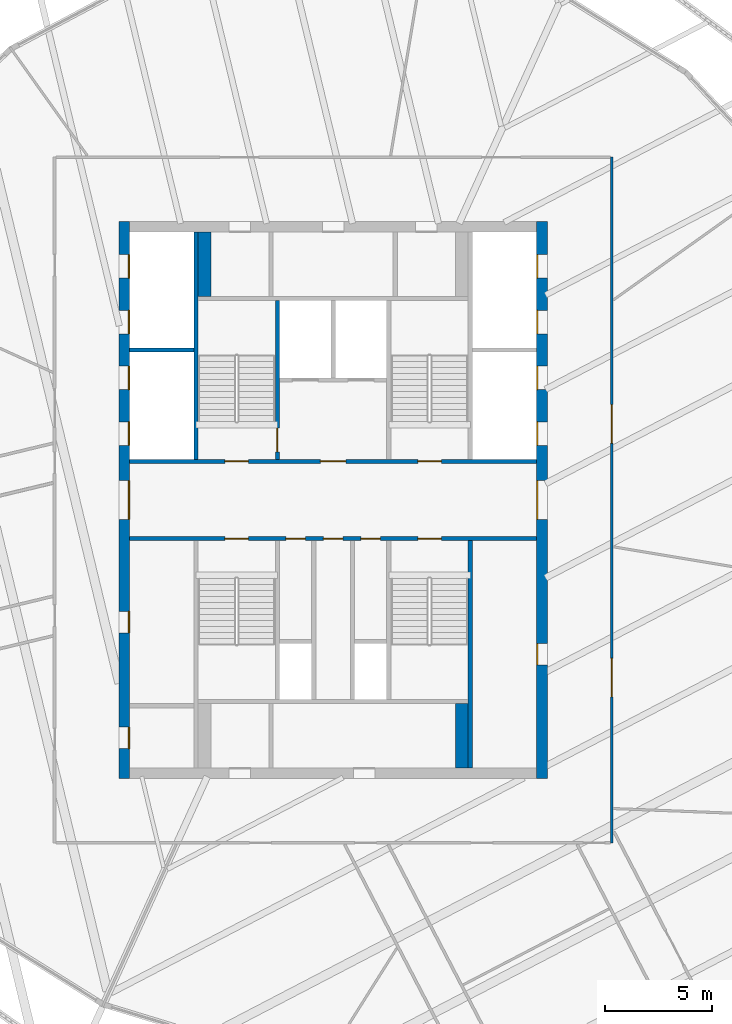
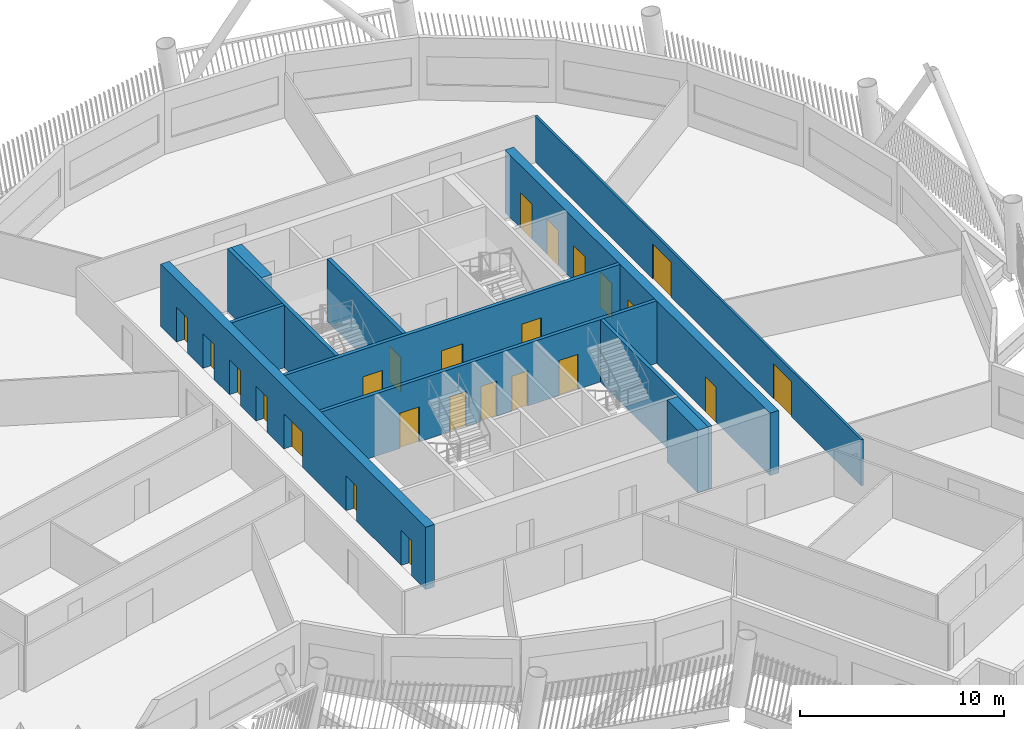
# One storey, part 5 of 22: 24 doors, 11 walls, 24 openings.
"""IFC4 building model written with IfcOpenShell, lengths in metres."""

from ifc_helpers import new_model, si_unit, direction, frame, frame_2d, origin, place, context, subcontext, project, spatial, rectangle, extrude, material, layer, layer_set, type_object, element, fill, save


model = new_model("IFC4")

# Units and contexts
model_context = context("Model", 3, precision=1e-05, world=origin(), true_north=direction((0.0, 1.0)))
body_context = subcontext(model_context, "Body", "Model", "MODEL_VIEW")
ifc_project = project(units=[si_unit("LENGTHUNIT", "METRE"), si_unit("AREAUNIT", "SQUARE_METRE"), si_unit("VOLUMEUNIT", "CUBIC_METRE"), si_unit("PLANEANGLEUNIT", "RADIAN"), si_unit("MASSUNIT", "GRAM", prefix="KILO")], contexts=[model_context])

# Site, building, storey
site_placement = place(None, origin())
site = spatial("IfcSite", under=ifc_project, at=site_placement, CompositionType="ELEMENT")
building_placement = place(site_placement, origin())
building = spatial("IfcBuilding", under=site, at=building_placement, Name="Tarsis Ring Headquarters", CompositionType="ELEMENT")
storey_placement = place(building_placement, frame((0.0, 0.0, 339.199951171875)))
storey = spatial("IfcBuildingStorey", under=building, at=storey_placement, Name="L80", CompositionType="ELEMENT", Elevation=339.199951171875)

# Wall, openings, doors
ifc_material_1 = material(Name="Concrete C50/60", Category="concrete")
ifc_layer_1 = layer(ifc_material_1, 0.5)
ifc_layer_set_1 = layer_set([ifc_layer_1], Name="Core wall 500 C50/60")
wall_type_1 = type_object("IfcWallType", Name="Core wall 500 C50/60", PredefinedType="SHEAR", material=ifc_layer_set_1)
wall_1_placement = place(storey_placement, frame((-9.75, -13.0, 0.0), z_axis=(0.0, 0.0, 1.0), x_axis=(0.0, 1.0, 0.0)))
wall_1 = element("IfcWall", 1, at=wall_1_placement, inside=storey, type_object=wall_type_1, Name="Core wall OW", PredefinedType="SHEAR", context=body_context, shape_type="SweptSolid", body=[
    extrude(rectangle(XDim=26.0, YDim=0.5, at=frame_2d((13.0, 0.0))), origin(), (0.0, 0.0, 1.0), 3.739990234375),
])
opening_1_placement = place(wall_1_placement, frame((1.39990234375, 0.0, 0.0)))
opening_1 = element("IfcOpeningElement", 2, at=opening_1_placement, cuts=wall_1, Name="Opening L80-C01", PredefinedType="OPENING", context=body_context, shape_type="SweptSolid", body=[
    extrude(rectangle(XDim=1.0, YDim=2.10009765625, at=frame_2d((0.5, 1.050048828125))), frame((0.0, 0.260009765625, 0.0), z_axis=(0.0, -1.0, 0.0), x_axis=(1.0, 0.0, 0.0)), (0.0, 0.0, 1.0), 0.52001953125),
])
opening_2_placement = place(wall_1_placement, frame((6.800048828125, 0.0, 0.0)))
opening_2 = element("IfcOpeningElement", 3, at=opening_2_placement, cuts=wall_1, Name="Opening L80-C02", PredefinedType="OPENING", context=body_context, shape_type="SweptSolid", body=[
    extrude(rectangle(XDim=1.0, YDim=2.10009765625, at=frame_2d((0.5, 1.050048828125))), frame((0.0, 0.260009765625, 0.0), z_axis=(0.0, -1.0, 0.0), x_axis=(1.0, 0.0, 0.0)), (0.0, 0.0, 1.0), 0.52001953125),
])
opening_3_placement = place(wall_1_placement, frame((12.10009765625, 0.0, 0.0)))
opening_3 = element("IfcOpeningElement", 4, at=opening_3_placement, cuts=wall_1, Name="Opening L80-C03", PredefinedType="OPENING", context=body_context, shape_type="SweptSolid", body=[
    extrude(rectangle(XDim=1.800048828125, YDim=2.10009765625, at=frame_2d((0.89990234375, 1.050048828125))), frame((0.0, 0.260009765625, 0.0), z_axis=(0.0, -1.0, 0.0), x_axis=(1.0, 0.0, 0.0)), (0.0, 0.0, 1.0), 0.52001953125),
])
opening_4_placement = place(wall_1_placement, frame((15.550048828125, 0.0, 0.0)))
opening_4 = element("IfcOpeningElement", 5, at=opening_4_placement, cuts=wall_1, Name="Opening LD-HR1", PredefinedType="OPENING", context=body_context, shape_type="SweptSolid", body=[
    extrude(rectangle(XDim=1.10009765625, YDim=2.10009765625, at=frame_2d((0.550048828125, 1.050048828125))), frame((0.0, 0.260009765625, 0.0), z_axis=(0.0, -1.0, 0.0), x_axis=(1.0, 0.0, 0.0)), (0.0, 0.0, 1.0), 0.52001953125),
])
opening_5_placement = place(wall_1_placement, frame((18.14990234375, 0.0, 0.0)))
opening_5 = element("IfcOpeningElement", 6, at=opening_5_placement, cuts=wall_1, Name="Opening LD-HR2", PredefinedType="OPENING", context=body_context, shape_type="SweptSolid", body=[
    extrude(rectangle(XDim=1.10009765625, YDim=2.10009765625, at=frame_2d((0.550048828125, 1.050048828125))), frame((0.0, 0.260009765625, 0.0), z_axis=(0.0, -1.0, 0.0), x_axis=(1.0, 0.0, 0.0)), (0.0, 0.0, 1.0), 0.52001953125),
])
opening_6_placement = place(wall_1_placement, frame((20.75, 0.0, 0.0)))
opening_6 = element("IfcOpeningElement", 7, at=opening_6_placement, cuts=wall_1, Name="Opening LD-HR3", PredefinedType="OPENING", context=body_context, shape_type="SweptSolid", body=[
    extrude(rectangle(XDim=1.10009765625, YDim=2.10009765625, at=frame_2d((0.550048828125, 1.050048828125))), frame((0.0, 0.260009765625, 0.0), z_axis=(0.0, -1.0, 0.0), x_axis=(1.0, 0.0, 0.0)), (0.0, 0.0, 1.0), 0.52001953125),
])
opening_7_placement = place(wall_1_placement, frame((23.35009765625, 0.0, 0.0)))
opening_7 = element("IfcOpeningElement", 8, at=opening_7_placement, cuts=wall_1, Name="Opening LD-HR4", PredefinedType="OPENING", context=body_context, shape_type="SweptSolid", body=[
    extrude(rectangle(XDim=1.10009765625, YDim=2.10009765625, at=frame_2d((0.550048828125, 1.050048828125))), frame((0.0, 0.260009765625, 0.0), z_axis=(0.0, -1.0, 0.0), x_axis=(1.0, 0.0, 0.0)), (0.0, 0.0, 1.0), 0.52001953125),
])
ifc_material_2 = material(Name="Steel S355", Category="steel")
door_type_1 = type_object("IfcDoorType", Name="Core entry door 1800x2100", OperationType="DOUBLE_DOOR_SINGLE_SWING", PredefinedType="DOOR", material=ifc_material_2)
door_1_placement = place(opening_3_placement, origin())
door_1 = element("IfcDoor", 9, at=door_1_placement, inside=storey, type_object=door_type_1, Name="Core entry door L80", OperationType="DOUBLE_DOOR_SINGLE_SWING", OverallHeight=2.10009765625, OverallWidth=1.800048828125, PredefinedType="DOOR", context=body_context, shape_type="SweptSolid", body=[
    extrude(rectangle(XDim=1.800048828125, YDim=2.10009765625, at=frame_2d((0.89990234375, 1.050048828125))), frame((0.0, -0.2001953125, 0.0), z_axis=(0.0, -1.0, 0.0), x_axis=(1.0, 0.0, 0.0)), (0.0, 0.0, 1.0), 0.050048828125),
])
fill(opening_3, door_1)
door_type_2 = type_object("IfcDoorType", Name="Core room door 1000x2100", OperationType="SINGLE_SWING_LEFT", PredefinedType="DOOR", material=ifc_material_2)
door_2_placement = place(opening_1_placement, origin())
door_2 = element("IfcDoor", 10, at=door_2_placement, inside=storey, type_object=door_type_2, Name="Core room door L80", OperationType="SINGLE_SWING_LEFT", OverallHeight=2.10009765625, OverallWidth=1.0, PredefinedType="DOOR", context=body_context, shape_type="SweptSolid", body=[
    extrude(rectangle(XDim=1.0, YDim=2.10009765625, at=frame_2d((0.5, 1.050048828125))), frame((0.0, -0.2001953125, 0.0), z_axis=(0.0, -1.0, 0.0), x_axis=(1.0, 0.0, 0.0)), (0.0, 0.0, 1.0), 0.050048828125),
])
fill(opening_1, door_2)
door_3_placement = place(opening_2_placement, origin())
door_3 = element("IfcDoor", 11, at=door_3_placement, inside=storey, type_object=door_type_2, Name="Core room door L80", OperationType="SINGLE_SWING_LEFT", OverallHeight=2.10009765625, OverallWidth=1.0, PredefinedType="DOOR", context=body_context, shape_type="SweptSolid", body=[
    extrude(rectangle(XDim=1.0, YDim=2.10009765625, at=frame_2d((0.5, 1.050048828125))), frame((0.0, -0.2001953125, 0.0), z_axis=(0.0, -1.0, 0.0), x_axis=(1.0, 0.0, 0.0)), (0.0, 0.0, 1.0), 0.050048828125),
])
fill(opening_2, door_3)
door_type_3 = type_object("IfcDoorType", Name="Landing door 1100x2100", OperationType="SLIDING_TO_LEFT", PredefinedType="DOOR", material=ifc_material_2)
door_4_placement = place(opening_4_placement, origin())
door_4 = element("IfcDoor", 12, at=door_4_placement, inside=storey, type_object=door_type_3, Name="Landing door HR1 L80", OperationType="SLIDING_TO_LEFT", OverallHeight=2.10009765625, OverallWidth=1.10009765625, PredefinedType="DOOR", context=body_context, shape_type="SweptSolid", body=[
    extrude(rectangle(XDim=1.10009765625, YDim=2.10009765625, at=frame_2d((0.550048828125, 1.050048828125))), frame((0.0, -0.2001953125, 0.0), z_axis=(0.0, -1.0, 0.0), x_axis=(1.0, 0.0, 0.0)), (0.0, 0.0, 1.0), 0.050048828125),
])
fill(opening_4, door_4)
door_5_placement = place(opening_5_placement, origin())
door_5 = element("IfcDoor", 13, at=door_5_placement, inside=storey, type_object=door_type_3, Name="Landing door HR2 L80", OperationType="SLIDING_TO_LEFT", OverallHeight=2.10009765625, OverallWidth=1.10009765625, PredefinedType="DOOR", context=body_context, shape_type="SweptSolid", body=[
    extrude(rectangle(XDim=1.10009765625, YDim=2.10009765625, at=frame_2d((0.550048828125, 1.050048828125))), frame((0.0, -0.2001953125, 0.0), z_axis=(0.0, -1.0, 0.0), x_axis=(1.0, 0.0, 0.0)), (0.0, 0.0, 1.0), 0.050048828125),
])
fill(opening_5, door_5)
door_6_placement = place(opening_6_placement, origin())
door_6 = element("IfcDoor", 14, at=door_6_placement, inside=storey, type_object=door_type_3, Name="Landing door HR3 L80", OperationType="SLIDING_TO_LEFT", OverallHeight=2.10009765625, OverallWidth=1.10009765625, PredefinedType="DOOR", context=body_context, shape_type="SweptSolid", body=[
    extrude(rectangle(XDim=1.10009765625, YDim=2.10009765625, at=frame_2d((0.550048828125, 1.050048828125))), frame((0.0, -0.2001953125, 0.0), z_axis=(0.0, -1.0, 0.0), x_axis=(1.0, 0.0, 0.0)), (0.0, 0.0, 1.0), 0.050048828125),
])
fill(opening_6, door_6)
door_7_placement = place(opening_7_placement, origin())
door_7 = element("IfcDoor", 15, at=door_7_placement, inside=storey, type_object=door_type_3, Name="Landing door HR4 L80", OperationType="SLIDING_TO_LEFT", OverallHeight=2.10009765625, OverallWidth=1.10009765625, PredefinedType="DOOR", context=body_context, shape_type="SweptSolid", body=[
    extrude(rectangle(XDim=1.10009765625, YDim=2.10009765625, at=frame_2d((0.550048828125, 1.050048828125))), frame((0.0, -0.2001953125, 0.0), z_axis=(0.0, -1.0, 0.0), x_axis=(1.0, 0.0, 0.0)), (0.0, 0.0, 1.0), 0.050048828125),
])
fill(opening_7, door_7)

wall_2_placement = place(storey_placement, frame((9.75, -13.0, 0.0), z_axis=(0.0, 0.0, 1.0), x_axis=(0.0, 1.0, 0.0)))
wall_2 = element("IfcWall", 16, at=wall_2_placement, inside=storey, type_object=wall_type_1, Name="Core wall OE", PredefinedType="SHEAR", context=body_context, shape_type="SweptSolid", body=[
    extrude(rectangle(XDim=26.0, YDim=0.5, at=frame_2d((13.0, 0.0))), origin(), (0.0, 0.0, 1.0), 3.739990234375),
])
opening_8_placement = place(wall_2_placement, frame((5.300048828125, 0.0, 0.0)))
opening_8 = element("IfcOpeningElement", 17, at=opening_8_placement, cuts=wall_2, Name="Opening L80-C08", PredefinedType="OPENING", context=body_context, shape_type="SweptSolid", body=[
    extrude(rectangle(XDim=1.0, YDim=2.10009765625, at=frame_2d((0.5, 1.050048828125))), frame((0.0, 0.260009765625, 0.0), z_axis=(0.0, -1.0, 0.0), x_axis=(1.0, 0.0, 0.0)), (0.0, 0.0, 1.0), 0.52001953125),
])
opening_9_placement = place(wall_2_placement, frame((12.10009765625, 0.0, 0.0)))
opening_9 = element("IfcOpeningElement", 18, at=opening_9_placement, cuts=wall_2, Name="Opening L80-C09", PredefinedType="OPENING", context=body_context, shape_type="SweptSolid", body=[
    extrude(rectangle(XDim=1.800048828125, YDim=2.10009765625, at=frame_2d((0.89990234375, 1.050048828125))), frame((0.0, 0.260009765625, 0.0), z_axis=(0.0, -1.0, 0.0), x_axis=(1.0, 0.0, 0.0)), (0.0, 0.0, 1.0), 0.52001953125),
])
opening_10_placement = place(wall_2_placement, frame((15.550048828125, 0.0, 0.0)))
opening_10 = element("IfcOpeningElement", 19, at=opening_10_placement, cuts=wall_2, Name="Opening LD-HR5", PredefinedType="OPENING", context=body_context, shape_type="SweptSolid", body=[
    extrude(rectangle(XDim=1.10009765625, YDim=2.10009765625, at=frame_2d((0.550048828125, 1.050048828125))), frame((0.0, 0.260009765625, 0.0), z_axis=(0.0, -1.0, 0.0), x_axis=(1.0, 0.0, 0.0)), (0.0, 0.0, 1.0), 0.52001953125),
])
opening_11_placement = place(wall_2_placement, frame((18.14990234375, 0.0, 0.0)))
opening_11 = element("IfcOpeningElement", 20, at=opening_11_placement, cuts=wall_2, Name="Opening LD-HR6", PredefinedType="OPENING", context=body_context, shape_type="SweptSolid", body=[
    extrude(rectangle(XDim=1.10009765625, YDim=2.10009765625, at=frame_2d((0.550048828125, 1.050048828125))), frame((0.0, 0.260009765625, 0.0), z_axis=(0.0, -1.0, 0.0), x_axis=(1.0, 0.0, 0.0)), (0.0, 0.0, 1.0), 0.52001953125),
])
opening_12_placement = place(wall_2_placement, frame((20.75, 0.0, 0.0)))
opening_12 = element("IfcOpeningElement", 21, at=opening_12_placement, cuts=wall_2, Name="Opening LD-HR7", PredefinedType="OPENING", context=body_context, shape_type="SweptSolid", body=[
    extrude(rectangle(XDim=1.10009765625, YDim=2.10009765625, at=frame_2d((0.550048828125, 1.050048828125))), frame((0.0, 0.260009765625, 0.0), z_axis=(0.0, -1.0, 0.0), x_axis=(1.0, 0.0, 0.0)), (0.0, 0.0, 1.0), 0.52001953125),
])
opening_13_placement = place(wall_2_placement, frame((23.35009765625, 0.0, 0.0)))
opening_13 = element("IfcOpeningElement", 22, at=opening_13_placement, cuts=wall_2, Name="Opening LD-HR8", PredefinedType="OPENING", context=body_context, shape_type="SweptSolid", body=[
    extrude(rectangle(XDim=1.10009765625, YDim=2.10009765625, at=frame_2d((0.550048828125, 1.050048828125))), frame((0.0, 0.260009765625, 0.0), z_axis=(0.0, -1.0, 0.0), x_axis=(1.0, 0.0, 0.0)), (0.0, 0.0, 1.0), 0.52001953125),
])
door_8_placement = place(opening_9_placement, origin())
door_8 = element("IfcDoor", 23, at=door_8_placement, inside=storey, type_object=door_type_1, Name="Core entry door L80", OperationType="DOUBLE_DOOR_SINGLE_SWING", OverallHeight=2.10009765625, OverallWidth=1.800048828125, PredefinedType="DOOR", context=body_context, shape_type="SweptSolid", body=[
    extrude(rectangle(XDim=1.800048828125, YDim=2.10009765625, at=frame_2d((0.89990234375, 1.050048828125))), frame((0.0, 0.25, 0.0), z_axis=(0.0, -1.0, 0.0), x_axis=(1.0, 0.0, 0.0)), (0.0, 0.0, 1.0), 0.050048828125),
])
fill(opening_9, door_8)
door_9_placement = place(opening_8_placement, origin())
door_9 = element("IfcDoor", 24, at=door_9_placement, inside=storey, type_object=door_type_2, Name="Core room door L80", OperationType="SINGLE_SWING_LEFT", OverallHeight=2.10009765625, OverallWidth=1.0, PredefinedType="DOOR", context=body_context, shape_type="SweptSolid", body=[
    extrude(rectangle(XDim=1.0, YDim=2.10009765625, at=frame_2d((0.5, 1.050048828125))), frame((0.0, 0.25, 0.0), z_axis=(0.0, -1.0, 0.0), x_axis=(1.0, 0.0, 0.0)), (0.0, 0.0, 1.0), 0.050048828125),
])
fill(opening_8, door_9)
door_10_placement = place(opening_10_placement, origin())
door_10 = element("IfcDoor", 25, at=door_10_placement, inside=storey, type_object=door_type_3, Name="Landing door HR5 L80", OperationType="SLIDING_TO_LEFT", OverallHeight=2.10009765625, OverallWidth=1.10009765625, PredefinedType="DOOR", context=body_context, shape_type="SweptSolid", body=[
    extrude(rectangle(XDim=1.10009765625, YDim=2.10009765625, at=frame_2d((0.550048828125, 1.050048828125))), frame((0.0, 0.25, 0.0), z_axis=(0.0, -1.0, 0.0), x_axis=(1.0, 0.0, 0.0)), (0.0, 0.0, 1.0), 0.050048828125),
])
fill(opening_10, door_10)
door_11_placement = place(opening_11_placement, origin())
door_11 = element("IfcDoor", 26, at=door_11_placement, inside=storey, type_object=door_type_3, Name="Landing door HR6 L80", OperationType="SLIDING_TO_LEFT", OverallHeight=2.10009765625, OverallWidth=1.10009765625, PredefinedType="DOOR", context=body_context, shape_type="SweptSolid", body=[
    extrude(rectangle(XDim=1.10009765625, YDim=2.10009765625, at=frame_2d((0.550048828125, 1.050048828125))), frame((0.0, 0.25, 0.0), z_axis=(0.0, -1.0, 0.0), x_axis=(1.0, 0.0, 0.0)), (0.0, 0.0, 1.0), 0.050048828125),
])
fill(opening_11, door_11)
door_12_placement = place(opening_12_placement, origin())
door_12 = element("IfcDoor", 27, at=door_12_placement, inside=storey, type_object=door_type_3, Name="Landing door HR7 L80", OperationType="SLIDING_TO_LEFT", OverallHeight=2.10009765625, OverallWidth=1.10009765625, PredefinedType="DOOR", context=body_context, shape_type="SweptSolid", body=[
    extrude(rectangle(XDim=1.10009765625, YDim=2.10009765625, at=frame_2d((0.550048828125, 1.050048828125))), frame((0.0, 0.25, 0.0), z_axis=(0.0, -1.0, 0.0), x_axis=(1.0, 0.0, 0.0)), (0.0, 0.0, 1.0), 0.050048828125),
])
fill(opening_12, door_12)
door_13_placement = place(opening_13_placement, origin())
door_13 = element("IfcDoor", 28, at=door_13_placement, inside=storey, type_object=door_type_3, Name="Landing door HR8 L80", OperationType="SLIDING_TO_LEFT", OverallHeight=2.10009765625, OverallWidth=1.10009765625, PredefinedType="DOOR", context=body_context, shape_type="SweptSolid", body=[
    extrude(rectangle(XDim=1.10009765625, YDim=2.10009765625, at=frame_2d((0.550048828125, 1.050048828125))), frame((0.0, 0.25, 0.0), z_axis=(0.0, -1.0, 0.0), x_axis=(1.0, 0.0, 0.0)), (0.0, 0.0, 1.0), 0.050048828125),
])
fill(opening_13, door_13)

ifc_material_3 = material(Name="Gypsum board on steel studs", Category="steel")
ifc_layer_2 = layer(ifc_material_3, 0.125)
ifc_layer_set_2 = layer_set([ifc_layer_2], Name="FL partition 125 EI 60 H2770")
wall_type_2 = type_object("IfcWallType", Name="FL partition 125 EI 60 H2770", PredefinedType="PARTITIONING", material=ifc_layer_set_2)
wall_3_placement = place(storey_placement, frame((13.0, -16.0, 0.0), z_axis=(0.0, 0.0, 1.0), x_axis=(0.0, 1.0, 0.0)))
wall_3 = element("IfcWall", 29, at=wall_3_placement, inside=storey, type_object=wall_type_2, Name="Partition PW1", PredefinedType="PARTITIONING", context=body_context, shape_type="SweptSolid", body=[
    extrude(rectangle(XDim=32.0, YDim=0.125, at=frame_2d((16.0, 0.0))), origin(), (0.0, 0.0, 1.0), 2.77001953125),
])
opening_14_placement = place(wall_3_placement, frame((18.654296875, 0.0, 0.0)))
opening_14 = element("IfcOpeningElement", 30, at=opening_14_placement, cuts=wall_3, Name="Opening D80.07", PredefinedType="OPENING", context=body_context, shape_type="SweptSolid", body=[
    extrude(rectangle(XDim=1.800048828125, YDim=2.10009765625, at=frame_2d((0.89990234375, 1.050048828125))), frame((0.0, 0.072509765625, 0.0), z_axis=(0.0, -1.0, 0.0), x_axis=(1.0, 0.0, 0.0)), (0.0, 0.0, 1.0), 0.14501953125),
])
opening_15_placement = place(wall_3_placement, frame((6.81494140625, 0.0, 0.0)))
opening_15 = element("IfcOpeningElement", 31, at=opening_15_placement, cuts=wall_3, Name="Opening D80.08", PredefinedType="OPENING", context=body_context, shape_type="SweptSolid", body=[
    extrude(rectangle(XDim=1.800048828125, YDim=2.10009765625, at=frame_2d((0.89990234375, 1.050048828125))), frame((0.0, 0.072509765625, 0.0), z_axis=(0.0, -1.0, 0.0), x_axis=(1.0, 0.0, 0.0)), (0.0, 0.0, 1.0), 0.14501953125),
])
ifc_material_4 = material(Name="Fire-rated timber door leaf in steel frame", Category="steel")
door_type_4 = type_object("IfcDoorType", Name="FL door FD60-1800", OperationType="DOUBLE_DOOR_SINGLE_SWING", PredefinedType="DOOR", material=ifc_material_4)
door_14_placement = place(opening_14_placement, origin())
door_14 = element("IfcDoor", 32, at=door_14_placement, inside=storey, type_object=door_type_4, Name="Door D80.07", OperationType="DOUBLE_DOOR_SINGLE_SWING", OverallHeight=2.10009765625, OverallWidth=1.800048828125, PredefinedType="DOOR", context=body_context, shape_type="SweptSolid", body=[
    extrude(rectangle(XDim=1.800048828125, YDim=2.10009765625, at=frame_2d((0.89990234375, 1.050048828125))), frame((0.0, 0.02490234375, 0.0), z_axis=(0.0, -1.0, 0.0), x_axis=(1.0, 0.0, 0.0)), (0.0, 0.0, 1.0), 0.050048828125),
])
fill(opening_14, door_14)
door_15_placement = place(opening_15_placement, origin())
door_15 = element("IfcDoor", 33, at=door_15_placement, inside=storey, type_object=door_type_4, Name="Door D80.08", OperationType="DOUBLE_DOOR_SINGLE_SWING", OverallHeight=2.10009765625, OverallWidth=1.800048828125, PredefinedType="DOOR", context=body_context, shape_type="SweptSolid", body=[
    extrude(rectangle(XDim=1.800048828125, YDim=2.10009765625, at=frame_2d((0.89990234375, 1.050048828125))), frame((0.0, 0.02490234375, 0.0), z_axis=(0.0, -1.0, 0.0), x_axis=(1.0, 0.0, 0.0)), (0.0, 0.0, 1.0), 0.050048828125),
])
fill(opening_15, door_15)

# Walls
ifc_material_5 = material(Name="Concrete C32/40", Category="concrete")
ifc_layer_3 = layer(ifc_material_5, 0.60009765625)
ifc_layer_set_3 = layer_set([ifc_layer_3], Name="Shaft end wall 600 C32/40")
wall_type_3 = type_object("IfcWallType", Name="Shaft end wall 600 C32/40", PredefinedType="SOLIDWALL", material=ifc_layer_set_3)
for number, where, z_axis, x_axis, name in (
    (34, (-6.0, 9.5, 0.0), (0.0, 0.0, 1.0), (0.0, 1.0, 0.0), "Core shaft wall NNE1"),
    (35, (6.0, -12.5, 0.0), (0.0, 0.0, 1.0), (0.0, 1.0, 0.0), "Core shaft wall SNE2"),
):
    element("IfcWall", number, at=place(storey_placement, frame(where, z_axis=z_axis, x_axis=x_axis)), inside=storey, type_object=wall_type_3, Name=name, PredefinedType="SOLIDWALL", context=body_context, shape_type="SweptSolid", body=[
        extrude(rectangle(XDim=3.0, YDim=0.60009765625, at=frame_2d((1.5, 0.0))), origin(), (0.0, 0.0, 1.0), 3.739990234375),
    ])

# Wall, openings, doors
ifc_layer_4 = layer(ifc_material_5, 0.199951171875)
ifc_layer_set_4 = layer_set([ifc_layer_4], Name="Shaft wall 200 C32/40")
wall_type_4 = type_object("IfcWallType", Name="Shaft wall 200 C32/40", PredefinedType="SOLIDWALL", material=ifc_layer_set_4)
wall_4_placement = place(storey_placement, frame((-9.5, 1.800048828125, 0.0), z_axis=(0.0, 0.0, 1.0), x_axis=(1.0, 0.0, 0.0)))
wall_4 = element("IfcWall", 36, at=wall_4_placement, inside=storey, type_object=wall_type_4, Name="Core shaft wall CN", PredefinedType="SOLIDWALL", context=body_context, shape_type="SweptSolid", body=[
    extrude(rectangle(XDim=19.0, YDim=0.199951171875, at=frame_2d((9.5, 0.0))), origin(), (0.0, 0.0, 1.0), 3.739990234375),
])
opening_16_placement = place(wall_4_placement, frame((4.449951171875, 0.0, 0.0)))
opening_16 = element("IfcOpeningElement", 37, at=opening_16_placement, cuts=wall_4, Name="Opening L80-C19", PredefinedType="OPENING", context=body_context, shape_type="SweptSolid", body=[
    extrude(rectangle(XDim=1.10009765625, YDim=2.10009765625, at=frame_2d((0.550048828125, 1.050048828125))), frame((0.0, 0.10986328125, 0.0), z_axis=(0.0, -1.0, 0.0), x_axis=(1.0, 0.0, 0.0)), (0.0, 0.0, 1.0), 0.219970703125),
])
opening_17_placement = place(wall_4_placement, frame((8.89990234375, 0.0, 0.0)))
opening_17 = element("IfcOpeningElement", 38, at=opening_17_placement, cuts=wall_4, Name="Opening L80-C20", PredefinedType="OPENING", context=body_context, shape_type="SweptSolid", body=[
    extrude(rectangle(XDim=1.199951171875, YDim=2.10009765625, at=frame_2d((0.60009765625, 1.050048828125))), frame((0.0, 0.10986328125, 0.0), z_axis=(0.0, -1.0, 0.0), x_axis=(1.0, 0.0, 0.0)), (0.0, 0.0, 1.0), 0.219970703125),
])
opening_18_placement = place(wall_4_placement, frame((13.449951171875, 0.0, 0.0)))
opening_18 = element("IfcOpeningElement", 39, at=opening_18_placement, cuts=wall_4, Name="Opening L80-C21", PredefinedType="OPENING", context=body_context, shape_type="SweptSolid", body=[
    extrude(rectangle(XDim=1.10009765625, YDim=2.10009765625, at=frame_2d((0.550048828125, 1.050048828125))), frame((0.0, 0.10986328125, 0.0), z_axis=(0.0, -1.0, 0.0), x_axis=(1.0, 0.0, 0.0)), (0.0, 0.0, 1.0), 0.219970703125),
])
door_type_5 = type_object("IfcDoorType", Name="Firefighting lobby door 1200x2100", OperationType="DOUBLE_DOOR_SINGLE_SWING", PredefinedType="DOOR", material=ifc_material_2)
door_16_placement = place(opening_17_placement, origin())
door_16 = element("IfcDoor", 40, at=door_16_placement, inside=storey, type_object=door_type_5, Name="Firefighting lobby door L80", OperationType="DOUBLE_DOOR_SINGLE_SWING", OverallHeight=2.10009765625, OverallWidth=1.199951171875, PredefinedType="DOOR", context=body_context, shape_type="SweptSolid", body=[
    extrude(rectangle(XDim=1.199951171875, YDim=2.10009765625, at=frame_2d((0.60009765625, 1.050048828125))), frame((0.0, 0.02490234375, 0.0), z_axis=(0.0, -1.0, 0.0), x_axis=(1.0, 0.0, 0.0)), (0.0, 0.0, 1.0), 0.050048828125),
])
fill(opening_17, door_16)
door_type_6 = type_object("IfcDoorType", Name="Stair door 1100x2100", OperationType="SINGLE_SWING_LEFT", PredefinedType="DOOR", material=ifc_material_2)
door_17_placement = place(opening_16_placement, origin())
door_17 = element("IfcDoor", 41, at=door_17_placement, inside=storey, type_object=door_type_6, Name="Stair door L80", OperationType="SINGLE_SWING_LEFT", OverallHeight=2.10009765625, OverallWidth=1.10009765625, PredefinedType="DOOR", context=body_context, shape_type="SweptSolid", body=[
    extrude(rectangle(XDim=1.10009765625, YDim=2.10009765625, at=frame_2d((0.550048828125, 1.050048828125))), frame((0.0, 0.02490234375, 0.0), z_axis=(0.0, -1.0, 0.0), x_axis=(1.0, 0.0, 0.0)), (0.0, 0.0, 1.0), 0.050048828125),
])
fill(opening_16, door_17)
door_18_placement = place(opening_18_placement, origin())
door_18 = element("IfcDoor", 42, at=door_18_placement, inside=storey, type_object=door_type_6, Name="Stair door L80", OperationType="SINGLE_SWING_LEFT", OverallHeight=2.10009765625, OverallWidth=1.10009765625, PredefinedType="DOOR", context=body_context, shape_type="SweptSolid", body=[
    extrude(rectangle(XDim=1.10009765625, YDim=2.10009765625, at=frame_2d((0.550048828125, 1.050048828125))), frame((0.0, 0.02490234375, 0.0), z_axis=(0.0, -1.0, 0.0), x_axis=(1.0, 0.0, 0.0)), (0.0, 0.0, 1.0), 0.050048828125),
])
fill(opening_18, door_18)

wall_5_placement = place(storey_placement, frame((-9.5, -1.800048828125, 0.0), z_axis=(0.0, 0.0, 1.0), x_axis=(1.0, 0.0, 0.0)))
wall_5 = element("IfcWall", 43, at=wall_5_placement, inside=storey, type_object=wall_type_4, Name="Core shaft wall CS", PredefinedType="SOLIDWALL", context=body_context, shape_type="SweptSolid", body=[
    extrude(rectangle(XDim=19.0, YDim=0.199951171875, at=frame_2d((9.5, 0.0))), origin(), (0.0, 0.0, 1.0), 3.739990234375),
])
opening_19_placement = place(wall_5_placement, frame((4.449951171875, 0.0, 0.0)))
opening_19 = element("IfcOpeningElement", 44, at=opening_19_placement, cuts=wall_5, Name="Opening L80-C22", PredefinedType="OPENING", context=body_context, shape_type="SweptSolid", body=[
    extrude(rectangle(XDim=1.10009765625, YDim=2.10009765625, at=frame_2d((0.550048828125, 1.050048828125))), frame((0.0, 0.10986328125, 0.0), z_axis=(0.0, -1.0, 0.0), x_axis=(1.0, 0.0, 0.0)), (0.0, 0.0, 1.0), 0.219970703125),
])
opening_20_placement = place(wall_5_placement, frame((7.300048828125, 0.0, 0.0)))
opening_20 = element("IfcOpeningElement", 45, at=opening_20_placement, cuts=wall_5, Name="Opening L80-C23", PredefinedType="OPENING", context=body_context, shape_type="SweptSolid", body=[
    extrude(rectangle(XDim=0.89990234375, YDim=2.10009765625, at=frame_2d((0.449951171875, 1.050048828125))), frame((0.0, 0.10986328125, 0.0), z_axis=(0.0, -1.0, 0.0), x_axis=(1.0, 0.0, 0.0)), (0.0, 0.0, 1.0), 0.219970703125),
])
opening_21_placement = place(wall_5_placement, frame((9.050048828125, 0.0, 0.0)))
opening_21 = element("IfcOpeningElement", 46, at=opening_21_placement, cuts=wall_5, Name="Opening L80-C24", PredefinedType="OPENING", context=body_context, shape_type="SweptSolid", body=[
    extrude(rectangle(XDim=0.89990234375, YDim=2.10009765625, at=frame_2d((0.449951171875, 1.050048828125))), frame((0.0, 0.10986328125, 0.0), z_axis=(0.0, -1.0, 0.0), x_axis=(1.0, 0.0, 0.0)), (0.0, 0.0, 1.0), 0.219970703125),
])
opening_22_placement = place(wall_5_placement, frame((10.800048828125, 0.0, 0.0)))
opening_22 = element("IfcOpeningElement", 47, at=opening_22_placement, cuts=wall_5, Name="Opening L80-C25", PredefinedType="OPENING", context=body_context, shape_type="SweptSolid", body=[
    extrude(rectangle(XDim=0.89990234375, YDim=2.10009765625, at=frame_2d((0.449951171875, 1.050048828125))), frame((0.0, 0.10986328125, 0.0), z_axis=(0.0, -1.0, 0.0), x_axis=(1.0, 0.0, 0.0)), (0.0, 0.0, 1.0), 0.219970703125),
])
opening_23_placement = place(wall_5_placement, frame((13.449951171875, 0.0, 0.0)))
opening_23 = element("IfcOpeningElement", 48, at=opening_23_placement, cuts=wall_5, Name="Opening L80-C26", PredefinedType="OPENING", context=body_context, shape_type="SweptSolid", body=[
    extrude(rectangle(XDim=1.10009765625, YDim=2.10009765625, at=frame_2d((0.550048828125, 1.050048828125))), frame((0.0, 0.10986328125, 0.0), z_axis=(0.0, -1.0, 0.0), x_axis=(1.0, 0.0, 0.0)), (0.0, 0.0, 1.0), 0.219970703125),
])
door_19_placement = place(opening_19_placement, origin())
door_19 = element("IfcDoor", 49, at=door_19_placement, inside=storey, type_object=door_type_6, Name="Stair door L80", OperationType="SINGLE_SWING_LEFT", OverallHeight=2.10009765625, OverallWidth=1.10009765625, PredefinedType="DOOR", context=body_context, shape_type="SweptSolid", body=[
    extrude(rectangle(XDim=1.10009765625, YDim=2.10009765625, at=frame_2d((0.550048828125, 1.050048828125))), frame((0.0, 0.02490234375, 0.0), z_axis=(0.0, -1.0, 0.0), x_axis=(1.0, 0.0, 0.0)), (0.0, 0.0, 1.0), 0.050048828125),
])
fill(opening_19, door_19)
door_20_placement = place(opening_23_placement, origin())
door_20 = element("IfcDoor", 50, at=door_20_placement, inside=storey, type_object=door_type_6, Name="Stair door L80", OperationType="SINGLE_SWING_LEFT", OverallHeight=2.10009765625, OverallWidth=1.10009765625, PredefinedType="DOOR", context=body_context, shape_type="SweptSolid", body=[
    extrude(rectangle(XDim=1.10009765625, YDim=2.10009765625, at=frame_2d((0.550048828125, 1.050048828125))), frame((0.0, 0.02490234375, 0.0), z_axis=(0.0, -1.0, 0.0), x_axis=(1.0, 0.0, 0.0)), (0.0, 0.0, 1.0), 0.050048828125),
])
fill(opening_23, door_20)
door_type_7 = type_object("IfcDoorType", Name="WC door 900x2100", OperationType="SINGLE_SWING_LEFT", PredefinedType="DOOR", material=ifc_material_2)
door_21_placement = place(opening_20_placement, origin())
door_21 = element("IfcDoor", 51, at=door_21_placement, inside=storey, type_object=door_type_7, Name="WC door L80", OperationType="SINGLE_SWING_LEFT", OverallHeight=2.10009765625, OverallWidth=0.89990234375, PredefinedType="DOOR", context=body_context, shape_type="SweptSolid", body=[
    extrude(rectangle(XDim=0.89990234375, YDim=2.10009765625, at=frame_2d((0.449951171875, 1.050048828125))), frame((0.0, 0.02490234375, 0.0), z_axis=(0.0, -1.0, 0.0), x_axis=(1.0, 0.0, 0.0)), (0.0, 0.0, 1.0), 0.050048828125),
])
fill(opening_20, door_21)
door_22_placement = place(opening_21_placement, origin())
door_22 = element("IfcDoor", 52, at=door_22_placement, inside=storey, type_object=door_type_7, Name="WC door L80", OperationType="SINGLE_SWING_LEFT", OverallHeight=2.10009765625, OverallWidth=0.89990234375, PredefinedType="DOOR", context=body_context, shape_type="SweptSolid", body=[
    extrude(rectangle(XDim=0.89990234375, YDim=2.10009765625, at=frame_2d((0.449951171875, 1.050048828125))), frame((0.0, 0.02490234375, 0.0), z_axis=(0.0, -1.0, 0.0), x_axis=(1.0, 0.0, 0.0)), (0.0, 0.0, 1.0), 0.050048828125),
])
fill(opening_21, door_22)
door_23_placement = place(opening_22_placement, origin())
door_23 = element("IfcDoor", 53, at=door_23_placement, inside=storey, type_object=door_type_7, Name="WC door L80", OperationType="SINGLE_SWING_LEFT", OverallHeight=2.10009765625, OverallWidth=0.89990234375, PredefinedType="DOOR", context=body_context, shape_type="SweptSolid", body=[
    extrude(rectangle(XDim=0.89990234375, YDim=2.10009765625, at=frame_2d((0.449951171875, 1.050048828125))), frame((0.0, 0.02490234375, 0.0), z_axis=(0.0, -1.0, 0.0), x_axis=(1.0, 0.0, 0.0)), (0.0, 0.0, 1.0), 0.050048828125),
])
fill(opening_22, door_23)

# Walls
for number, where, z_axis, x_axis, name in (
    (54, (-6.39990234375, 1.89990234375, 0.0), (0.0, 0.0, 1.0), (0.0, 1.0, 0.0), "Core shaft wall WB2"),
    (55, (6.39990234375, -12.5, 0.0), (0.0, 0.0, 1.0), (0.0, 1.0, 0.0), "Core shaft wall EB1"),
):
    element("IfcWall", number, at=place(storey_placement, frame(where, z_axis=z_axis, x_axis=x_axis)), inside=storey, type_object=wall_type_4, Name=name, PredefinedType="SOLIDWALL", context=body_context, shape_type="SweptSolid", body=[
        extrude(rectangle(XDim=10.60009765625, YDim=0.199951171875, at=frame_2d((5.300048828125, 0.0))), origin(), (0.0, 0.0, 1.0), 3.739990234375),
    ])

# Wall, opening, door
wall_6_placement = place(storey_placement, frame((-2.60009765625, 1.89990234375, 0.0), z_axis=(0.0, 0.0, 1.0), x_axis=(0.0, 1.0, 0.0)))
wall_6 = element("IfcWall", 56, at=wall_6_placement, inside=storey, type_object=wall_type_4, Name="Core shaft wall SW1", PredefinedType="SOLIDWALL", context=body_context, shape_type="SweptSolid", body=[
    extrude(rectangle(XDim=7.400146484375, YDim=0.199951171875, at=frame_2d((3.7001953125, 0.0))), origin(), (0.0, 0.0, 1.0), 3.739990234375),
])
opening_24_placement = place(wall_6_placement, frame((0.35009765625, 0.0, 0.0)))
opening_24 = element("IfcOpeningElement", 57, at=opening_24_placement, cuts=wall_6, Name="Opening L80-C27", PredefinedType="OPENING", context=body_context, shape_type="SweptSolid", body=[
    extrude(rectangle(XDim=1.10009765625, YDim=2.10009765625, at=frame_2d((0.550048828125, 1.050048828125))), frame((0.0, 0.10986328125, 0.0), z_axis=(0.0, -1.0, 0.0), x_axis=(1.0, 0.0, 0.0)), (0.0, 0.0, 1.0), 0.219970703125),
])
door_24_placement = place(opening_24_placement, origin())
door_24 = element("IfcDoor", 58, at=door_24_placement, inside=storey, type_object=door_type_6, Name="Stair door L80", OperationType="SINGLE_SWING_LEFT", OverallHeight=2.10009765625, OverallWidth=1.10009765625, PredefinedType="DOOR", context=body_context, shape_type="SweptSolid", body=[
    extrude(rectangle(XDim=1.10009765625, YDim=2.10009765625, at=frame_2d((0.550048828125, 1.050048828125))), frame((0.0, 0.02490234375, 0.0), z_axis=(0.0, -1.0, 0.0), x_axis=(1.0, 0.0, 0.0)), (0.0, 0.0, 1.0), 0.050048828125),
])
fill(opening_24, door_24)

# Wall
wall_7_placement = place(storey_placement, frame((-9.5, 7.0, 0.0), z_axis=(0.0, 0.0, 1.0), x_axis=(1.0, 0.0, 0.0)))
element("IfcWall", 59, at=wall_7_placement, inside=storey, type_object=wall_type_4, Name="Core shaft wall WD6", PredefinedType="SOLIDWALL", context=body_context, shape_type="SweptSolid", body=[
    extrude(rectangle(XDim=3.0, YDim=0.199951171875, at=frame_2d((1.5, 0.0))), origin(), (0.0, 0.0, 1.0), 3.739990234375),
])

save(model, "model.ifc")
